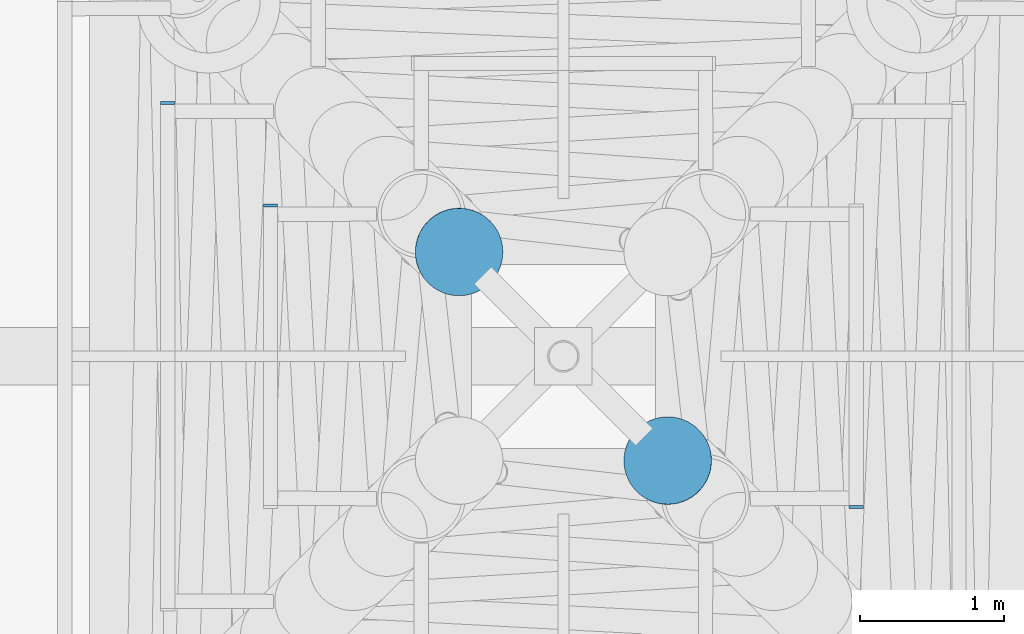
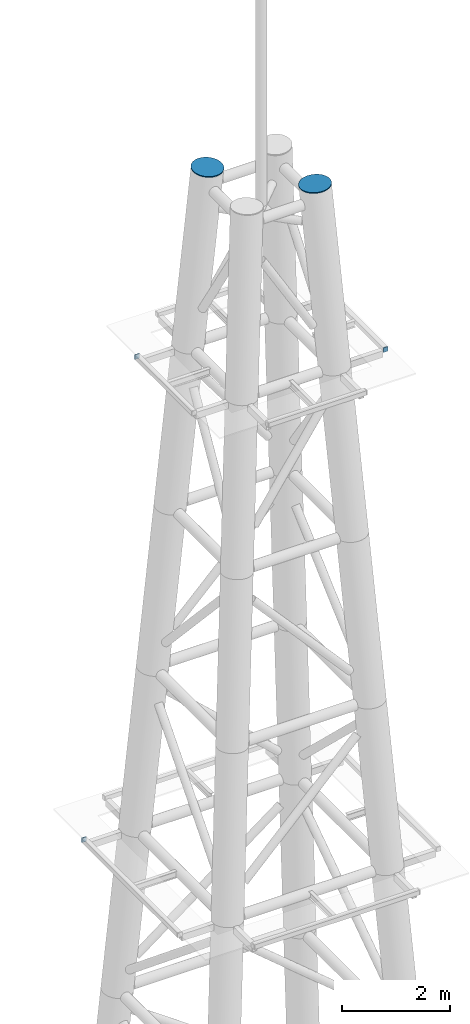
# One storey, part 20 of 36: 5 discrete accessories.
"""IFC4 building model written with IfcOpenShell, lengths in metres."""

from ifc_helpers import new_model, si_unit, direction, frame, origin, origin_2d, place, context, subcontext, project, spatial, rectangle, circle, extrude, material, material_profile, profile_set, type_object, element, save


model = new_model("IFC4")

# Units and contexts
model_context = context("Model", 3, precision=1e-05, world=origin(), true_north=direction((0.0, 1.0)))
body_context = subcontext(model_context, "Body", "Model", "MODEL_VIEW")
ifc_project = project(units=[si_unit("LENGTHUNIT", "METRE"), si_unit("AREAUNIT", "SQUARE_METRE"), si_unit("VOLUMEUNIT", "CUBIC_METRE"), si_unit("PLANEANGLEUNIT", "RADIAN"), si_unit("MASSUNIT", "GRAM", prefix="KILO")], contexts=[model_context])

# Site, building, storey
site_placement = place(None, origin())
site = spatial("IfcSite", under=ifc_project, at=site_placement, CompositionType="ELEMENT")
building_placement = place(site_placement, origin())
building = spatial("IfcBuilding", under=site, at=building_placement, Name="Ipe Terrace Towers", CompositionType="ELEMENT")
storey_placement = place(building_placement, frame((0.0, 0.0, 264.89990234375)))
storey = spatial("IfcBuildingStorey", under=building, at=storey_placement, Name="Roof", CompositionType="ELEMENT", Elevation=264.89990234375)

# Discrete accessories
ifc_material_1 = material(Name="Steel S355", Category="steel")
ifc_material_profile_1 = material_profile(ifc_material_1, rectangle(XDim=0.10009765625, YDim=0.10009765625, at=origin_2d()), Name="MAST END PLATE 100 x 100 x 20")
ifc_profile_set_1 = profile_set([ifc_material_profile_1], Name="Steel S355")
discrete_accessory_type_1 = type_object("IfcDiscreteAccessoryType", Name="MAST END PLATE 100 x 100 x 20", PredefinedType="BRACKET", material=ifc_profile_set_1)
for number, where, z_axis, x_axis, name in (
    (1, (-38.7548828125, 1.7548828125, 21.31005859375), (0.0, 1.0, 0.0), (-1.0, 0.0, 0.0), "mast end plate"),
    (2, (-38.0390625, 1.0390625, 32.3720703125), (0.0, 1.0, 0.0), (-1.0, 0.0, 0.0), "mast end plate"),
    (3, (-33.9609375, -1.0390625, 32.3720703125), (0.0, -1.0, 0.0), (1.0, 0.0, 0.0), "mast end plate"),
):
    element("IfcDiscreteAccessory", number, at=place(storey_placement, frame(where, z_axis=z_axis, x_axis=x_axis)), inside=storey, type_object=discrete_accessory_type_1, Name=name, PredefinedType="BRACKET", context=body_context, shape_type="SweptSolid", body=[
        extrude(rectangle(XDim=0.10009765625, YDim=0.10009765625, at=origin_2d()), origin(), (0.0, 0.0, 1.0), 0.02001953125),
    ])
ifc_material_2 = material(Name="Steel S355", Category="steel")
ifc_material_profile_2 = material_profile(ifc_material_2, circle(Radius=0.304931640625, at=origin_2d()), Name="MAST END PLATE 610 DIA x 20")
ifc_profile_set_2 = profile_set([ifc_material_profile_2], Name="Steel S355")
discrete_accessory_type_2 = type_object("IfcDiscreteAccessoryType", Name="MAST END PLATE 610 DIA x 20", PredefinedType="BRACKET", material=ifc_profile_set_2)
for number, where, z_axis, x_axis, name in (
    (4, (-36.72705078125, 0.72705078125, 36.35009765625), (0.048664825549, -0.048664825549, 0.997628923753), (0.707106781187, 0.707106781187, 0.0), "mast end plate"),
    (5, (-35.27294921875, -0.72705078125, 36.35009765625), (-0.048664825549, 0.048664825549, 0.997628923753), (-0.707106781187, -0.707106781187, 0.0), "mast end plate"),
):
    element("IfcDiscreteAccessory", number, at=place(storey_placement, frame(where, z_axis=z_axis, x_axis=x_axis)), inside=storey, type_object=discrete_accessory_type_2, Name=name, PredefinedType="BRACKET", context=body_context, shape_type="SweptSolid", body=[
        extrude(circle(Radius=0.304931640625, at=origin_2d()), origin(), (0.0, 0.0, 1.0), 0.02001953125),
    ])

save(model, "model.ifc")
